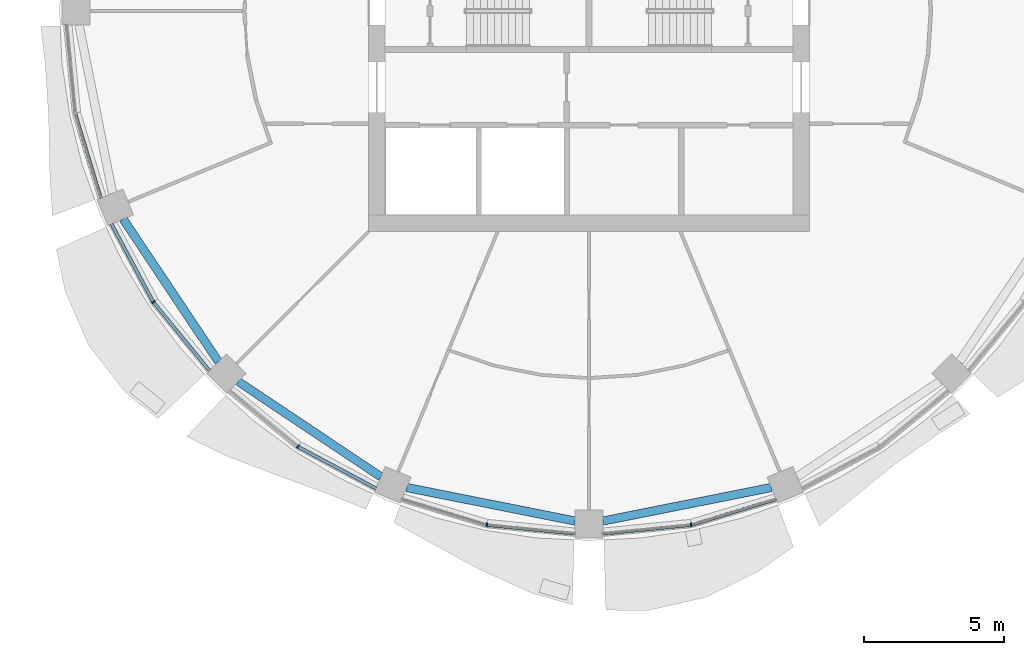
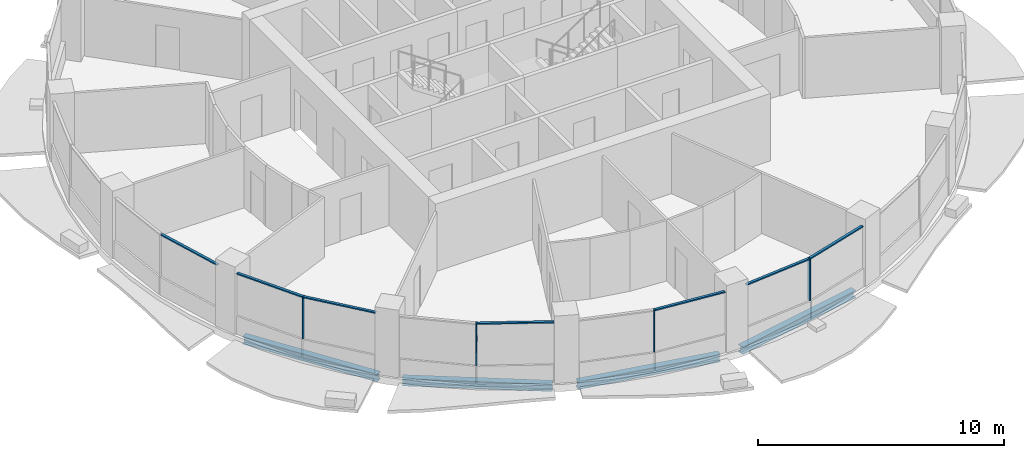
# One storey, part 2 of 14: 11 members, 4 beams, 5 elements without a shape of their own.
"""IFC4 building model written with IfcOpenShell, lengths in metres."""

from ifc_helpers import new_model, si_unit, direction, frame, origin, origin_2d, place, context, subcontext, project, spatial, rectangle, i_section, extrude, material, material_profile, profile_set, type_object, element, aggregate, save


model = new_model("IFC4")

# Units and contexts
model_context = context("Model", 3, precision=1e-05, world=origin(), true_north=direction((0.0, 1.0)))
body_context = subcontext(model_context, "Body", "Model", "MODEL_VIEW")
ifc_project = project(units=[si_unit("LENGTHUNIT", "METRE"), si_unit("AREAUNIT", "SQUARE_METRE"), si_unit("VOLUMEUNIT", "CUBIC_METRE"), si_unit("PLANEANGLEUNIT", "RADIAN"), si_unit("MASSUNIT", "GRAM", prefix="KILO")], contexts=[model_context])

# Site, building, storey
site_placement = place(None, origin())
site = spatial("IfcSite", under=ifc_project, at=site_placement, CompositionType="ELEMENT")
building_placement = place(site_placement, origin())
building = spatial("IfcBuilding", under=site, at=building_placement, Name="Polderwave Tower", CompositionType="ELEMENT")
storey_placement = place(building_placement, frame((0.0, 0.0, 141.050048828125)))
storey = spatial("IfcBuildingStorey", under=building, at=storey_placement, Name="L37", CompositionType="ELEMENT", Elevation=141.050048828125)

# Curtain wall, member
ifc_material_1 = material(Name="Aluminium 6063-T6 and glass", Category="aluminium")
curtain_wall_type = type_object("IfcCurtainWallType", Name="Office ribbon glazing wall", PredefinedType="NOTDEFINED", material=ifc_material_1)
curtain_wall_1_placement = place(storey_placement, origin())
curtain_wall_1 = element("IfcCurtainWall", 1, at=curtain_wall_1_placement, inside=storey, type_object=curtain_wall_type, Name="CW3 L37 09", PredefinedType="NOTDEFINED")
ifc_material_2 = material(Name="Aluminium 6063-T6", Category="aluminium")
ifc_material_profile_1 = material_profile(ifc_material_2, rectangle(XDim=0.139892578125, YDim=0.054931640625, at=origin_2d()), Name="AL 55x140")
ifc_profile_set_1 = profile_set([ifc_material_profile_1], Name="Aluminium 6063-T6")
member_type_1 = type_object("IfcMemberType", Name="Office ribbon glazing mullion 55x140", PredefinedType="MULLION", material=ifc_profile_set_1)
member_1_placement = place(storey_placement, frame((-15.548095703125, -10.388916015625, 0.89990234375), z_axis=(0.0, 0.0, 1.0), x_axis=(0.831508396395, 0.555512184136, 0.0)))
member_1 = element("IfcMember", 2, at=member_1_placement, type_object=member_type_1, Name="CW3 mullion 1", PredefinedType="MULLION", context=body_context, shape_type="SweptSolid", body=[
    extrude(rectangle(XDim=0.139892578125, YDim=0.054931640625, at=origin_2d()), origin(), (0.0, 0.0, 1.0), 2.10009765625),
])

curtain_wall_2_placement = place(storey_placement, origin())
curtain_wall_2 = element("IfcCurtainWall", 3, at=curtain_wall_2_placement, inside=storey, type_object=curtain_wall_type, Name="CW3 L37 10", PredefinedType="NOTDEFINED")
member_2_placement = place(storey_placement, frame((-10.388916015625, -15.548095703125, 0.89990234375), z_axis=(0.0, 0.0, 1.0), x_axis=(0.555512184136, 0.831508396395, 0.0)))
member_2 = element("IfcMember", 4, at=member_2_placement, type_object=member_type_1, Name="CW3 mullion 1", PredefinedType="MULLION", context=body_context, shape_type="SweptSolid", body=[
    extrude(rectangle(XDim=0.139892578125, YDim=0.054931640625, at=origin_2d()), origin(), (0.0, 0.0, 1.0), 2.10009765625),
])

curtain_wall_3_placement = place(storey_placement, origin())
curtain_wall_3 = element("IfcCurtainWall", 5, at=curtain_wall_3_placement, inside=storey, type_object=curtain_wall_type, Name="CW3 L37 11", PredefinedType="NOTDEFINED")
member_3_placement = place(storey_placement, frame((-3.64794921875, -18.341064453125, 0.89990234375), z_axis=(0.0, 0.0, 1.0), x_axis=(0.195196452055, 0.980764163857, 0.0)))
member_3 = element("IfcMember", 6, at=member_3_placement, type_object=member_type_1, Name="CW3 mullion 1", PredefinedType="MULLION", context=body_context, shape_type="SweptSolid", body=[
    extrude(rectangle(XDim=0.139892578125, YDim=0.054931640625, at=origin_2d()), origin(), (0.0, 0.0, 1.0), 2.10009765625),
])

curtain_wall_4_placement = place(storey_placement, origin())
curtain_wall_4 = element("IfcCurtainWall", 7, at=curtain_wall_4_placement, inside=storey, type_object=curtain_wall_type, Name="CW3 L37 12", PredefinedType="NOTDEFINED")
member_4_placement = place(storey_placement, frame((3.64794921875, -18.341064453125, 0.89990234375), z_axis=(0.0, 0.0, 1.0), x_axis=(-0.195196452055, 0.980764163857, 0.0)))
member_4 = element("IfcMember", 8, at=member_4_placement, type_object=member_type_1, Name="CW3 mullion 1", PredefinedType="MULLION", context=body_context, shape_type="SweptSolid", body=[
    extrude(rectangle(XDim=0.139892578125, YDim=0.054931640625, at=origin_2d()), origin(), (0.0, 0.0, 1.0), 2.10009765625),
])

curtain_wall_5_placement = place(storey_placement, origin())
curtain_wall_5 = element("IfcCurtainWall", 9, at=curtain_wall_5_placement, inside=storey, type_object=curtain_wall_type, Name="CW3 L37 08", PredefinedType="NOTDEFINED")
ifc_material_profile_2 = material_profile(ifc_material_2, rectangle(XDim=0.1201171875, YDim=0.06005859375, at=origin_2d()), Name="AL 60x120")
ifc_profile_set_2 = profile_set([ifc_material_profile_2], Name="Aluminium 6063-T6")
member_type_2 = type_object("IfcMemberType", Name="Office ribbon glazing transom 60x120", PredefinedType="USERDEFINED", material=ifc_profile_set_2)
member_5_placement = place(storey_placement, frame((-18.3330078125, -3.67431640625, 2.969970703125), z_axis=(0.290467601512, -0.956884827172, 0.0), x_axis=(0.956884827172, 0.290467601512, 0.0)))
member_5 = element("IfcMember", 10, at=member_5_placement, type_object=member_type_2, Name="CW3 transom 2", ObjectType="TRANSOM", PredefinedType="USERDEFINED", context=body_context, shape_type="SweptSolid", body=[
    extrude(rectangle(XDim=0.1201171875, YDim=0.06005859375, at=origin_2d()), origin(), (0.0, 0.0, 1.0), 3.135986328125),
])
aggregate(curtain_wall_5, [member_5])

# Member
member_6_placement = place(storey_placement, frame((-17.0400390625, -7.59912109375, 2.969970703125), z_axis=(0.471581867996, -0.881822284691, 0.0), x_axis=(0.881822284691, 0.471581867996, 0.0)))
member_6 = element("IfcMember", 11, at=member_6_placement, type_object=member_type_2, Name="CW3 transom 1", ObjectType="TRANSOM", PredefinedType="USERDEFINED", context=body_context, shape_type="SweptSolid", body=[
    extrude(rectangle(XDim=0.1201171875, YDim=0.06005859375, at=origin_2d()), origin(), (0.0, 0.0, 1.0), 3.13623046875),
])

member_7_placement = place(storey_placement, frame((-15.530517578125, -10.410400390625, 2.969970703125), z_axis=(0.634153141657, -0.773207470816, 0.0), x_axis=(0.773207470816, 0.634153141657, 0.0)))
member_7 = element("IfcMember", 12, at=member_7_placement, type_object=member_type_2, Name="CW3 transom 2", ObjectType="TRANSOM", PredefinedType="USERDEFINED", context=body_context, shape_type="SweptSolid", body=[
    extrude(rectangle(XDim=0.1201171875, YDim=0.06005859375, at=origin_2d()), origin(), (0.0, 0.0, 1.0), 3.1357421875),
])

aggregate(curtain_wall_1, [member_1, member_6, member_7])

member_8_placement = place(storey_placement, frame((-10.36474609375, -15.56103515625, 2.969970703125), z_axis=(0.881822284691, -0.471581867996, 0.0), x_axis=(0.471581867996, 0.881822284691, 0.0)))
member_8 = element("IfcMember", 13, at=member_8_placement, type_object=member_type_2, Name="CW3 transom 2", ObjectType="TRANSOM", PredefinedType="USERDEFINED", context=body_context, shape_type="SweptSolid", body=[
    extrude(rectangle(XDim=0.1201171875, YDim=0.06005859375, at=origin_2d()), origin(), (0.0, 0.0, 1.0), 3.13623046875),
])

aggregate(curtain_wall_2, [member_2, member_8])

member_9_placement = place(storey_placement, frame((-3.62060546875, -18.34375, 2.969970703125), z_axis=(0.995191689442, -0.097946420382, 0.0), x_axis=(0.097946420382, 0.995191689442, 0.0)))
member_9 = element("IfcMember", 14, at=member_9_placement, type_object=member_type_2, Name="CW3 transom 2", ObjectType="TRANSOM", PredefinedType="USERDEFINED", context=body_context, shape_type="SweptSolid", body=[
    extrude(rectangle(XDim=0.1201171875, YDim=0.06005859375, at=origin_2d()), origin(), (0.0, 0.0, 1.0), 3.1357421875),
])

aggregate(curtain_wall_3, [member_3, member_9])

member_10_placement = place(storey_placement, frame((0.5, -18.65087890625, 2.969970703125), z_axis=(0.995191689442, 0.097946420382, 0.0), x_axis=(-0.097946420382, 0.995191689442, 0.0)))
member_10 = element("IfcMember", 15, at=member_10_placement, type_object=member_type_2, Name="CW3 transom 1", ObjectType="TRANSOM", PredefinedType="USERDEFINED", context=body_context, shape_type="SweptSolid", body=[
    extrude(rectangle(XDim=0.1201171875, YDim=0.06005859375, at=origin_2d()), origin(), (0.0, 0.0, 1.0), 3.1357421875),
])

member_11_placement = place(storey_placement, frame((3.67431640625, -18.3330078125, 2.969970703125), z_axis=(0.956884827172, 0.290467601512, 0.0), x_axis=(-0.290467601512, 0.956884827172, 0.0)))
member_11 = element("IfcMember", 16, at=member_11_placement, type_object=member_type_2, Name="CW3 transom 2", ObjectType="TRANSOM", PredefinedType="USERDEFINED", context=body_context, shape_type="SweptSolid", body=[
    extrude(rectangle(XDim=0.1201171875, YDim=0.06005859375, at=origin_2d()), origin(), (0.0, 0.0, 1.0), 3.135986328125),
])

aggregate(curtain_wall_4, [member_4, member_10, member_11])

# Beams
ifc_material_3 = material(Name="Steel S355", Category="steel")
ifc_material_profile_3 = material_profile(ifc_material_3, i_section(OverallWidth=0.300048828125, OverallDepth=0.360107421875, WebThickness=0.012451171875, FlangeThickness=0.0224609375, at=origin_2d()), Name="HE 360 B")
ifc_profile_set_3 = profile_set([ifc_material_profile_3], Name="Steel S355")
beam_type = type_object("IfcBeamType", Name="RING BEAM HE 360 B", PredefinedType="BEAM", material=ifc_profile_set_3)
for number, where, z_axis, x_axis, name in (
    (17, (-16.623779296875, -7.427001953125, -0.530029296875), (0.555565167003, -0.831472997284, 0.0), (0.831472997284, 0.555565167003, 0.0), "ST-RB-L37-09"),
    (18, (-12.51611328125, -13.223388671875, -0.530029296875), (0.831472997284, -0.555565167003, 0.0), (0.555565167003, 0.831472997284, 0.0), "ST-RB-L37-10"),
):
    element("IfcBeam", number, at=place(storey_placement, frame(where, z_axis=z_axis, x_axis=x_axis)), inside=storey, type_object=beam_type, Name=name, PredefinedType="BEAM", context=body_context, shape_type="SweptSolid", body=[
        extrude(i_section(OverallWidth=0.300048828125, OverallDepth=0.360107421875, WebThickness=0.012451171875, FlangeThickness=0.0224609375, at=origin_2d()), origin(), (0.0, 0.0, 1.0), 6.12060546875),
    ])
for number, where, z_axis, x_axis, name in (
    (19, (-6.503173828125, -17.00634765625, -0.530029296875), (0.980785709335, -0.195088165617, 0.0), (0.195088165617, 0.980785709335, 0.0), "ST-RB-L37-11"),
    (20, (0.5, -18.200439453125, -0.530029296875), (0.980785709335, 0.195088165617, 0.0), (-0.195088165617, 0.980785709335, 0.0), "ST-RB-L37-12"),
):
    element("IfcBeam", number, at=place(storey_placement, frame(where, z_axis=z_axis, x_axis=x_axis)), inside=storey, type_object=beam_type, Name=name, PredefinedType="BEAM", context=body_context, shape_type="SweptSolid", body=[
        extrude(i_section(OverallWidth=0.300048828125, OverallDepth=0.360107421875, WebThickness=0.012451171875, FlangeThickness=0.0224609375, at=origin_2d()), origin(), (0.0, 0.0, 1.0), 6.120849609375),
    ])

save(model, "model.ifc")
